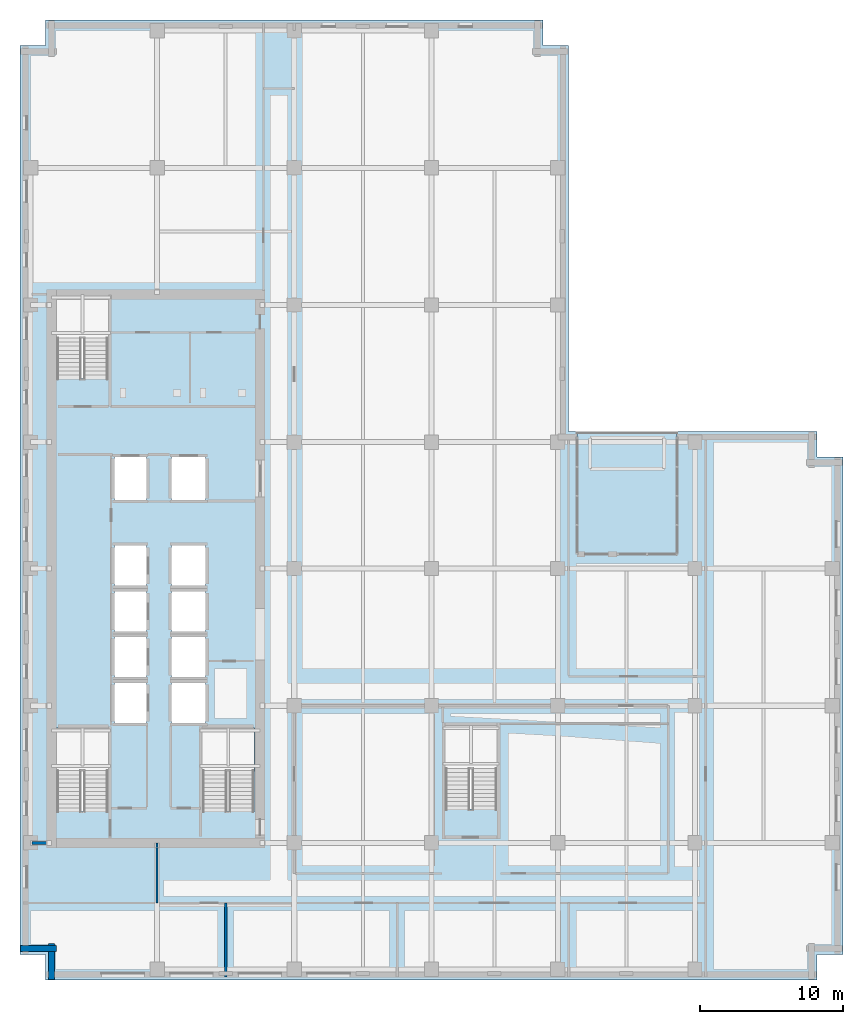
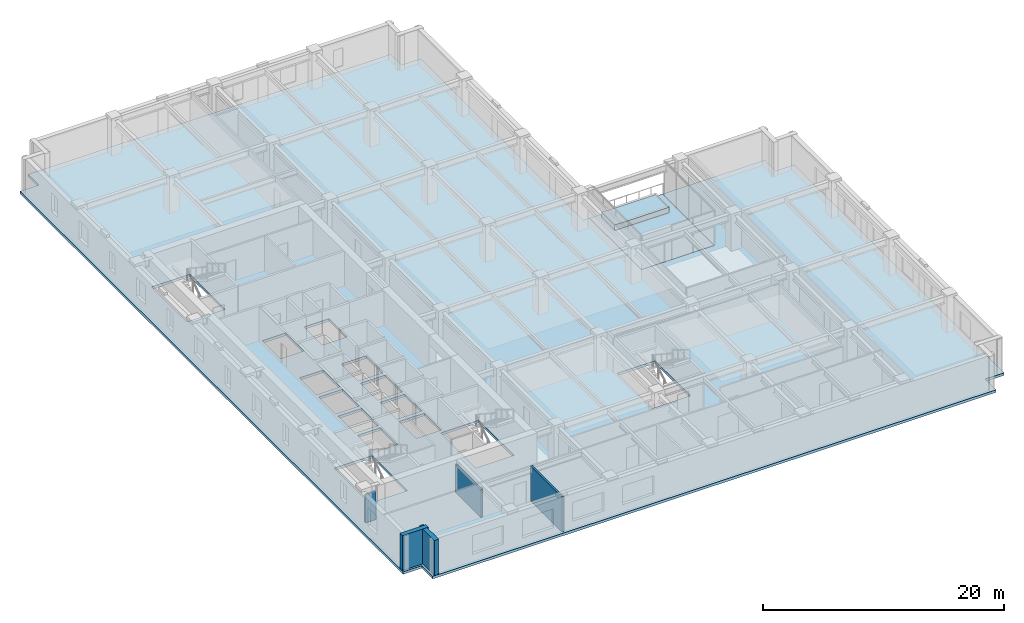
# One storey, part 3 of 16: 5 walls, 3 slabs.
"""IFC4 building model written with IfcOpenShell, lengths in metres."""

from ifc_helpers import new_model, si_unit, direction, frame, frame_2d, origin, place, context, subcontext, project, spatial, polyline, rectangle, outline, extrude, material, layer, layer_set, type_object, element, save


model = new_model("IFC4")

# Units and contexts
model_context = context("Model", 3, precision=1e-05, world=origin(), true_north=direction((0.0, 1.0)))
body_context = subcontext(model_context, "Body", "Model", "MODEL_VIEW")
ifc_project = project(units=[si_unit("LENGTHUNIT", "METRE"), si_unit("AREAUNIT", "SQUARE_METRE"), si_unit("VOLUMEUNIT", "CUBIC_METRE"), si_unit("PLANEANGLEUNIT", "RADIAN"), si_unit("MASSUNIT", "GRAM", prefix="KILO")], contexts=[model_context])

# Site, building, storey
site_placement = place(None, origin())
site = spatial("IfcSite", under=ifc_project, at=site_placement, CompositionType="ELEMENT")
building_placement = place(site_placement, origin())
building = spatial("IfcBuilding", under=site, at=building_placement, Name="Norrvale University Quadrangle", CompositionType="ELEMENT")
storey_placement = place(building_placement, frame((0.0, 0.0, 112.800048828125)))
storey = spatial("IfcBuildingStorey", under=building, at=storey_placement, Name="L28", CompositionType="ELEMENT", Elevation=112.800048828125)

# Slabs
ifc_material_1 = material(Name="Planted Soil Growing Medium")
ifc_layer_1 = layer(ifc_material_1, 0.570068359375, Name="Planted Soil Growing Medium")
ifc_layer_set_1 = layer_set([ifc_layer_1], Name="Planted Soil Growing Medium")
slab_type_1 = type_object("IfcSlabType", Name="Slab Planter Soil 550", PredefinedType="USERDEFINED", material=ifc_layer_set_1)
slab_1_placement = place(storey_placement, frame((0.0, 0.0, -0.02001953125)))
element("IfcSlab", 1, at=slab_1_placement, inside=storey, type_object=slab_type_1, Name="Sky Garden Planted Soil Bed L28", ObjectType="PLANTER", PredefinedType="USERDEFINED", context=body_context, shape_type="SweptSolid", body=[
    extrude(outline(polyline([(39.89990234375, 35.800048828125), (45.10009765625, 35.800048828125), (45.10009765625, 37.949951171875), (39.89990234375, 37.949951171875), (39.89990234375, 35.800048828125)])), origin(), (0.0, 0.0, 1.0), 0.570068359375),
])
ifc_material_2 = material(Name="Concrete C50/60", Category="concrete")
ifc_layer_2 = layer(ifc_material_2, 0.300048828125, Name="Concrete C50/60")
ifc_layer_set_2 = layer_set([ifc_layer_2], Name="Concrete C50/60")
slab_type_2 = type_object("IfcSlabType", Name="Slab Sky Garden 300", PredefinedType="ROOF", material=ifc_layer_set_2)
slab_2_placement = place(storey_placement, frame((0.0, 0.0, -0.300048828125)))
element("IfcSlab", 2, at=slab_2_placement, inside=storey, type_object=slab_type_2, Name="Planted Sky Garden Terrace Slab L28", PredefinedType="ROOF", context=body_context, shape_type="SweptSolid", body=[
    extrude(outline(polyline([(39.0, 29.800048828125), (46.0, 29.800048828125), (46.0, 38.39990234375), (39.0, 38.39990234375), (39.0, 29.800048828125)])), origin(), (0.0, 0.0, 1.0), 0.300048828125),
])
ifc_material_3 = material(Name="Concrete C40/50", Category="concrete")
ifc_layer_3 = layer(ifc_material_3, 0.260009765625, Name="Concrete C40/50")
ifc_layer_set_3 = layer_set([ifc_layer_3], Name="Concrete C40/50")
slab_type_3 = type_object("IfcSlabType", Name="Slab Tower Typ 260", PredefinedType="FLOOR", material=ifc_layer_set_3)
slab_3_placement = place(storey_placement, frame((0.0, 0.0, -0.260009765625)))
element("IfcSlab", 3, at=slab_3_placement, inside=storey, type_object=slab_type_3, Name="Tower L28 Floor Slab", PredefinedType="FLOOR", context=body_context, shape_type="SweptSolid", body=[
    extrude(outline(polyline([(55.800048828125, 38.39990234375), (55.800048828125, 36.60009765625), (57.60009765625, 36.60009765625), (57.60009765625, 1.800048828125), (55.800048828125, 1.800048828125), (55.800048828125, 0.0), (1.800048828125, 0.0), (1.800048828125, 1.800048828125), (0.0, 1.800048828125), (0.0, 65.39990234375), (1.800048828125, 65.39990234375), (1.800048828125, 67.199951171875), (36.60009765625, 67.199951171875), (36.60009765625, 65.39990234375), (38.39990234375, 65.39990234375), (38.39990234375, 38.39990234375), (39.0, 38.39990234375), (39.0, 29.800048828125), (46.0, 29.800048828125), (46.0, 38.39990234375), (55.800048828125, 38.39990234375)]), holes=[polyline([(2.550048828125, 11.81005859375), (6.199951171875, 11.81005859375), (6.199951171875, 17.64990234375), (2.550048828125, 17.64990234375), (2.550048828125, 11.81005859375)]), polyline([(2.550048828125, 42.110107421875), (6.199951171875, 42.110107421875), (6.199951171875, 47.949951171875), (2.550048828125, 47.949951171875), (2.550048828125, 42.110107421875)]), polyline([(12.75, 11.81005859375), (16.39990234375, 11.81005859375), (16.39990234375, 17.64990234375), (12.75, 17.64990234375), (12.75, 11.81005859375)]), polyline([(29.75, 11.9599609375), (33.39990234375, 11.9599609375), (33.39990234375, 17.800048828125), (29.75, 17.800048828125), (29.75, 11.9599609375)]), polyline([(6.60009765625, 18.0), (8.85009765625, 18.0), (8.85009765625, 20.800048828125), (6.60009765625, 20.800048828125), (6.60009765625, 18.0)]), polyline([(6.60009765625, 21.199951171875), (8.85009765625, 21.199951171875), (8.85009765625, 24.0), (6.60009765625, 24.0), (6.60009765625, 21.199951171875)]), polyline([(6.60009765625, 24.39990234375), (8.85009765625, 24.39990234375), (8.85009765625, 27.199951171875), (6.60009765625, 27.199951171875), (6.60009765625, 24.39990234375)]), polyline([(6.60009765625, 27.60009765625), (8.85009765625, 27.60009765625), (8.85009765625, 30.39990234375), (6.60009765625, 30.39990234375), (6.60009765625, 27.60009765625)]), polyline([(10.60009765625, 18.0), (13.0, 18.0), (13.0, 20.800048828125), (10.60009765625, 20.800048828125), (10.60009765625, 18.0)]), polyline([(10.60009765625, 21.199951171875), (13.0, 21.199951171875), (13.0, 24.0), (10.60009765625, 24.0), (10.60009765625, 21.199951171875)]), polyline([(10.60009765625, 24.39990234375), (13.0, 24.39990234375), (13.0, 27.199951171875), (10.60009765625, 27.199951171875), (10.60009765625, 24.39990234375)]), polyline([(10.60009765625, 27.60009765625), (13.0, 27.60009765625), (13.0, 30.39990234375), (10.60009765625, 30.39990234375), (10.60009765625, 27.60009765625)]), polyline([(6.60009765625, 33.60009765625), (8.85009765625, 33.60009765625), (8.85009765625, 36.60009765625), (6.60009765625, 36.60009765625), (6.60009765625, 33.60009765625)]), polyline([(10.60009765625, 33.60009765625), (13.0, 33.60009765625), (13.0, 36.60009765625), (10.60009765625, 36.60009765625), (10.60009765625, 33.60009765625)])]), origin(), (0.0, 0.0, 1.0), 0.260009765625),
])

# Walls
ifc_material_4 = material(Name="Buff Norman Clay Brick Masonry", Category="masonry")
ifc_layer_4 = layer(ifc_material_4, 0.419921875, Name="Buff Norman Clay Brick Masonry")
ifc_layer_set_4 = layer_set([ifc_layer_4], Name="Buff Norman Clay Brick Masonry")
wall_type_1 = type_object("IfcWallType", Name="Wall Buff Brick 420", PredefinedType="SOLIDWALL", material=ifc_layer_set_4)
for number, where, z_axis, x_axis, name in (
    (4, (0.0400390625, 2.18994140625, 0.0), (0.0, 0.0, 1.0), (1.0, 0.0, 0.0), "Exterior Brick Facade Wall L28-15.1"),
    (5, (2.18994140625, 2.5400390625, 0.0), (0.0, 0.0, 1.0), (0.0, -1.0, 0.0), "Exterior Brick Facade Wall L28-16.1"),
):
    element("IfcWall", number, at=place(storey_placement, frame(where, z_axis=z_axis, x_axis=x_axis)), inside=storey, type_object=wall_type_1, Name=name, PredefinedType="SOLIDWALL", context=body_context, shape_type="SweptSolid", body=[
        extrude(rectangle(XDim=2.5, YDim=0.419921875, at=frame_2d((1.25, 0.0))), origin(), (0.0, 0.0, 1.0), 3.5400390625),
    ])
ifc_material_5 = material(Name="Fire-Rated Gypsum Stud Partition")
ifc_layer_5 = layer(ifc_material_5, 0.14990234375, Name="Fire-Rated Gypsum Stud Partition")
ifc_layer_set_5 = layer_set([ifc_layer_5], Name="Fire-Rated Gypsum Stud Partition")
wall_type_2 = type_object("IfcWallType", Name="Wall Gypsum Corridor 150", PredefinedType="PARTITIONING", material=ifc_layer_set_5)
wall_1_placement = place(storey_placement, frame((9.60009765625, 5.39990234375, 0.0), z_axis=(0.0, 0.0, 1.0), x_axis=(0.0, 1.0, 0.0)))
element("IfcWall", 6, at=wall_1_placement, inside=storey, type_object=wall_type_2, Name="Interior Partition WL-L28-CSW-END", PredefinedType="PARTITIONING", context=body_context, shape_type="SweptSolid", body=[
    extrude(rectangle(XDim=4.2001953125, YDim=0.14990234375, at=frame_2d((2.10009765625, 0.0))), origin(), (0.0, 0.0, 1.0), 2.844970703125),
])
ifc_material_6 = material(Name="Acoustic Double-Stud Gypsum Partition")
ifc_layer_6 = layer(ifc_material_6, 0.179931640625, Name="Acoustic Double-Stud Gypsum Partition")
ifc_layer_set_6 = layer_set([ifc_layer_6], Name="Acoustic Double-Stud Gypsum Partition")
wall_type_3 = type_object("IfcWallType", Name="Wall Gypsum Lecture 180", PredefinedType="PARTITIONING", material=ifc_layer_set_6)
wall_2_placement = place(storey_placement, frame((14.39990234375, 0.219970703125, 0.0), z_axis=(0.0, 0.0, 1.0), x_axis=(0.0, 1.0, 0.0)))
element("IfcWall", 7, at=wall_2_placement, inside=storey, type_object=wall_type_3, Name="Interior Partition WL-L28-SP01", PredefinedType="PARTITIONING", context=body_context, shape_type="SweptSolid", body=[
    extrude(rectangle(XDim=5.179931640625, YDim=0.179931640625, at=frame_2d((2.58984375, 0.0))), origin(), (0.0, 0.0, 1.0), 3.5400390625),
])
ifc_material_7 = material(Name="Concrete Blockwork 20 MPa Rated Wall", Category="masonry")
ifc_layer_7 = layer(ifc_material_7, 0.199951171875, Name="Concrete Blockwork 20 MPa Rated Wall")
ifc_layer_set_7 = layer_set([ifc_layer_7], Name="Concrete Blockwork 20 MPa Rated Wall")
wall_type_4 = type_object("IfcWallType", Name="Wall Lobby 200", PredefinedType="SOLIDWALL", material=ifc_layer_set_7)
wall_3_placement = place(storey_placement, frame((0.85009765625, 9.60009765625, 0.0), z_axis=(0.0, 0.0, 1.0), x_axis=(1.0, 0.0, 0.0)))
element("IfcWall", 8, at=wall_3_placement, inside=storey, type_object=wall_type_4, Name="Interior Partition WL-L28-CWRET-S", PredefinedType="SOLIDWALL", context=body_context, shape_type="SweptSolid", body=[
    extrude(rectangle(XDim=0.994873046875, YDim=0.199951171875, at=frame_2d((0.49755859375, 0.0))), origin(), (0.0, 0.0, 1.0), 2.844970703125),
])

save(model, "model.ifc")
